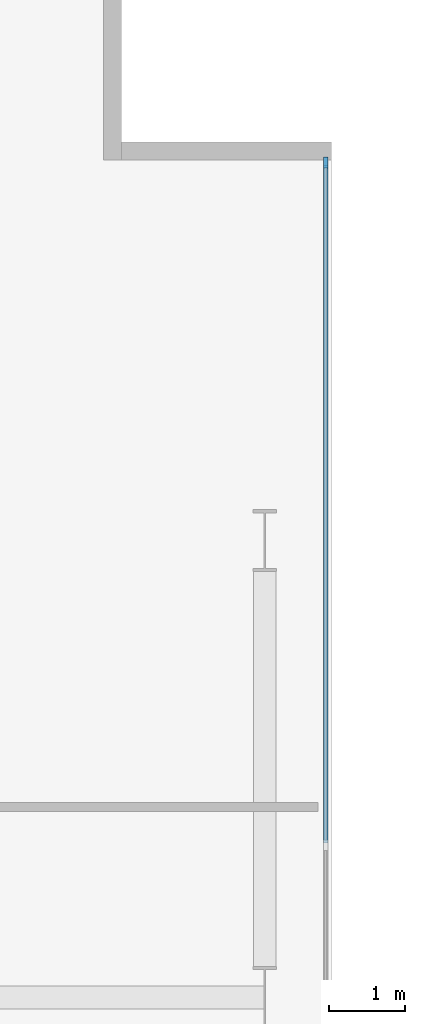
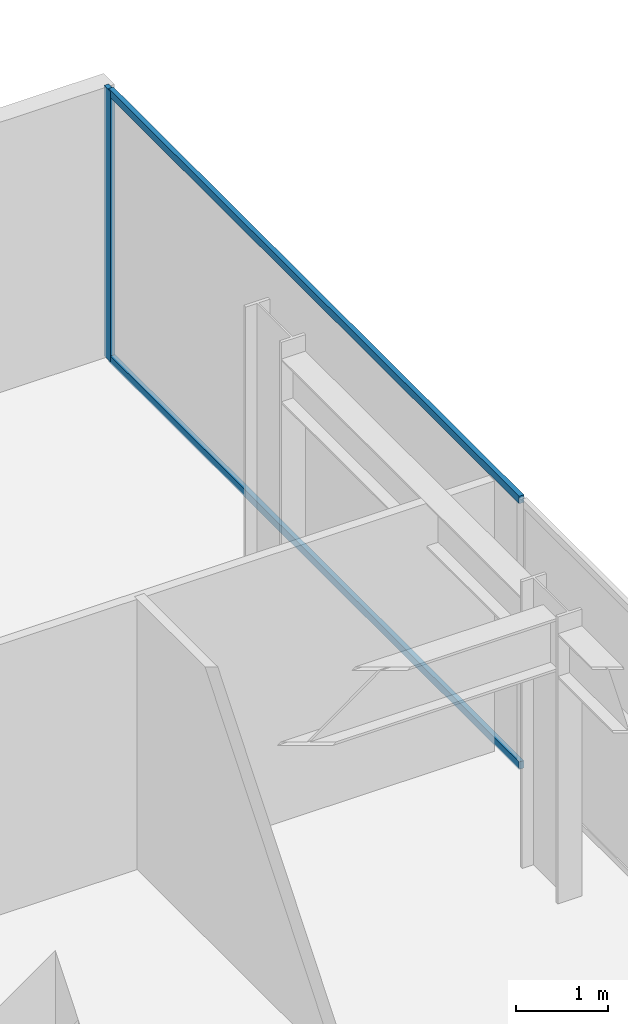
# One storey, part 15 of 24: 3 members, 1 element without a shape of its own.
"""IFC4 building model written with IfcOpenShell, lengths in metres."""

from ifc_helpers import new_model, si_unit, direction, frame, origin, origin_2d, place, context, subcontext, project, spatial, rectangle, extrude, material, layer, layer_set, material_profile, profile_set, type_object, element, aggregate, save


model = new_model("IFC4")

# Units and contexts
model_context = context("Model", 3, precision=1e-05, world=origin(), true_north=direction((0.0, 1.0)))
body_context = subcontext(model_context, "Body", "Model", "MODEL_VIEW")
ifc_project = project(units=[si_unit("LENGTHUNIT", "METRE"), si_unit("AREAUNIT", "SQUARE_METRE"), si_unit("VOLUMEUNIT", "CUBIC_METRE"), si_unit("PLANEANGLEUNIT", "RADIAN"), si_unit("MASSUNIT", "GRAM", prefix="KILO")], contexts=[model_context])

# Site, building, storey
site_placement = place(None, origin())
site = spatial("IfcSite", under=ifc_project, at=site_placement, CompositionType="ELEMENT")
building_placement = place(site_placement, origin())
building = spatial("IfcBuilding", under=site, at=building_placement, Name="Putna Gate Headquarters", CompositionType="ELEMENT")
storey_placement = place(building_placement, frame((0.0, 0.0, 240.39990234375)))
storey = spatial("IfcBuildingStorey", under=building, at=storey_placement, Name="L60", CompositionType="ELEMENT", Elevation=240.39990234375)

# Curtain wall, members
ifc_material_1 = material(Name="Anodised bronze aluminium curtain wall", Category="aluminium")
ifc_layer = layer(ifc_material_1, 0.139892578125)
ifc_layer_set = layer_set([ifc_layer], Name="Anodised bronze aluminium curtain wall")
curtain_wall_type = type_object("IfcCurtainWallType", Name="CW-SYS-Z4", PredefinedType="USERDEFINED", material=ifc_layer_set)
curtain_wall_placement = place(storey_placement, origin())
curtain_wall = element("IfcCurtainWall", 1, at=curtain_wall_placement, inside=storey, type_object=curtain_wall_type, Name="L60 East Curtain Wall", ObjectType="STICK CURTAIN WALL", PredefinedType="USERDEFINED")
ifc_material_2 = material(Name="Anodised bronze aluminium EN AW-6060", Category="aluminium")
ifc_material_profile_1 = material_profile(ifc_material_2, rectangle(XDim=0.06005859375, YDim=0.139892578125, at=origin_2d()), Name="Anodised bronze aluminium EN AW-6060")
ifc_profile_set_1 = profile_set([ifc_material_profile_1], Name="Anodised bronze aluminium EN AW-6060")
member_type_1 = type_object("IfcMemberType", Name="MULL-CWM-4", PredefinedType="MULLION", material=ifc_profile_set_1)
member_1_placement = place(storey_placement, frame((72.1201171875, 43.969970703125, 0.0), z_axis=(0.0, 0.0, 1.0), x_axis=(-1.0, 0.0, 0.0)))
member_1 = element("IfcMember", 2, at=member_1_placement, type_object=member_type_1, Name="CWS-4 mullion 5", PredefinedType="MULLION", context=body_context, shape_type="SweptSolid", body=[
    extrude(rectangle(XDim=0.06005859375, YDim=0.139892578125, at=origin_2d()), origin(), (0.0, 0.0, 1.0), 3.580078125),
])
ifc_material_profile_2 = material_profile(ifc_material_2, rectangle(XDim=0.06005859375, YDim=0.10009765625, at=origin_2d()), Name="Anodised bronze aluminium EN AW-6060")
ifc_profile_set_2 = profile_set([ifc_material_profile_2], Name="Anodised bronze aluminium EN AW-6060")
member_type_2 = type_object("IfcMemberType", Name="TRAN-CWT-4", PredefinedType="USERDEFINED", material=ifc_profile_set_2)
member_2_placement = place(storey_placement, frame((72.1201171875, 35.030029296875, 0.030029296875), z_axis=(0.0, 1.0, 0.0), x_axis=(-1.0, 0.0, 0.0)))
member_2 = element("IfcMember", 3, at=member_2_placement, type_object=member_type_2, Name="CWS-4 transom 4.1", ObjectType="TRANSOM", PredefinedType="USERDEFINED", context=body_context, shape_type="SweptSolid", body=[
    extrude(rectangle(XDim=0.06005859375, YDim=0.10009765625, at=origin_2d()), origin(), (0.0, 0.0, 1.0), 8.909912109375),
])
member_3_placement = place(storey_placement, frame((72.1201171875, 35.030029296875, 3.550048828125), z_axis=(0.0, 1.0, 0.0), x_axis=(-1.0, 0.0, 0.0)))
member_3 = element("IfcMember", 4, at=member_3_placement, type_object=member_type_2, Name="CWS-4 transom 4.2", ObjectType="TRANSOM", PredefinedType="USERDEFINED", context=body_context, shape_type="SweptSolid", body=[
    extrude(rectangle(XDim=0.06005859375, YDim=0.10009765625, at=origin_2d()), origin(), (0.0, 0.0, 1.0), 8.909912109375),
])
aggregate(curtain_wall, [member_1, member_2, member_3])

save(model, "model.ifc")
